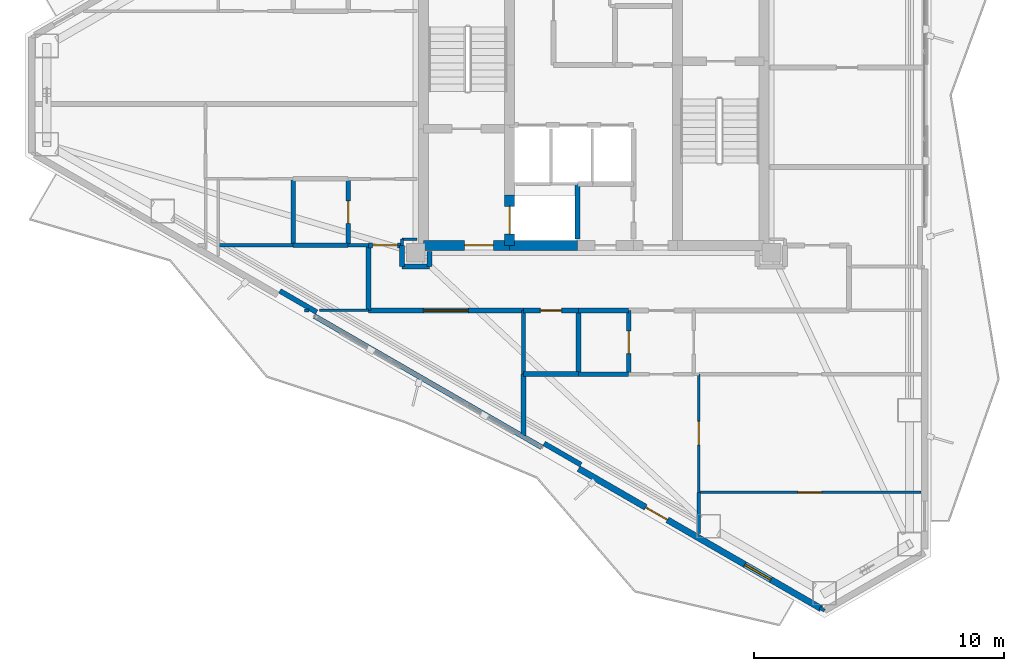
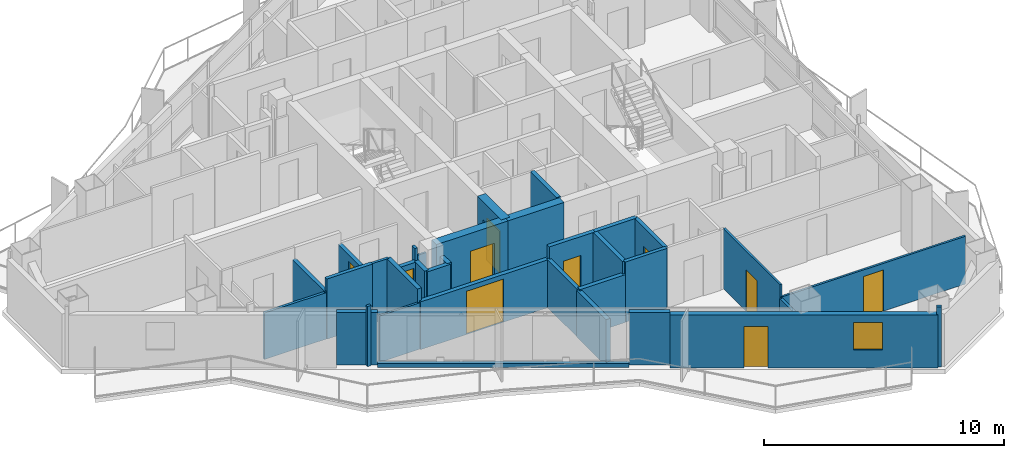
# One storey, part 12 of 19: 35 walls, 10 doors, 1 window, 11 openings.
"""IFC4 building model written with IfcOpenShell, lengths in metres."""

from ifc_helpers import new_model, si_unit, direction, frame, frame_2d, origin, place, context, subcontext, project, spatial, rectangle, extrude, material, layer, layer_set, type_object, element, fill, save


model = new_model("IFC4")

# Units and contexts
model_context = context("Model", 3, precision=1e-05, world=origin(), true_north=direction((0.0, 1.0)))
body_context = subcontext(model_context, "Body", "Model", "MODEL_VIEW")
ifc_project = project(units=[si_unit("LENGTHUNIT", "METRE"), si_unit("AREAUNIT", "SQUARE_METRE"), si_unit("VOLUMEUNIT", "CUBIC_METRE"), si_unit("PLANEANGLEUNIT", "RADIAN"), si_unit("MASSUNIT", "GRAM", prefix="KILO")], contexts=[model_context])

# Site, building, storey
site_placement = place(None, origin())
site = spatial("IfcSite", under=ifc_project, at=site_placement, CompositionType="ELEMENT")
building_placement = place(site_placement, origin())
building = spatial("IfcBuilding", under=site, at=building_placement, Name="Mersakhor Tower and Convention Hall", CompositionType="ELEMENT")
storey_placement = place(building_placement, frame((0.0, 0.0, 124.5)))
storey = spatial("IfcBuildingStorey", under=building, at=storey_placement, Name="L34", CompositionType="ELEMENT", Elevation=124.5)

# Wall, openings, door, window
ifc_material_1 = material(Name="Precast concrete C40/50", Category="concrete")
ifc_layer_1 = layer(ifc_material_1, 0.25)
ifc_layer_set_1 = layer_set([ifc_layer_1], Name="Precast concrete C40/50")
wall_type_1 = type_object("IfcWallType", Name="WL-EXT-250", PredefinedType="SOLIDWALL", material=ifc_layer_set_1)
wall_1_placement = place(storey_placement, frame((38.090576171875, 6.2373046875, 0.0), z_axis=(0.0, 0.0, 1.0), x_axis=(-0.86602239209, 0.500005216371, 0.0)))
wall_1 = element("IfcWall", 1, at=wall_1_placement, inside=storey, type_object=wall_type_1, Name="L34 Exterior Facade Wall F3-B1", PredefinedType="SOLIDWALL", context=body_context, shape_type="SweptSolid", body=[
    extrude(rectangle(XDim=11.18603515625, YDim=0.25, at=frame_2d((5.593017578125, 0.0))), origin(), (0.0, 0.0, 1.0), 2.679931640625),
])
opening_1_placement = place(wall_1_placement, frame((7.094970703125, 0.0, 0.0)))
opening_1 = element("IfcOpeningElement", 2, at=opening_1_placement, cuts=wall_1, Name="Opening BD-01", PredefinedType="OPENING", context=body_context, shape_type="SweptSolid", body=[
    extrude(rectangle(XDim=1.0, YDim=2.10009765625, at=frame_2d((0.5, 1.050048828125))), frame((0.0, 0.135009765625, 0.0), z_axis=(0.0, -1.0, 0.0), x_axis=(1.0, 0.0, 0.0)), (0.0, 0.0, 1.0), 0.27001953125),
])
opening_2_placement = place(wall_1_placement, frame((2.322021484375, 0.0, 0.89990234375)))
opening_2 = element("IfcOpeningElement", 3, at=opening_2_placement, cuts=wall_1, Name="Opening W-01", PredefinedType="OPENING", context=body_context, shape_type="SweptSolid", body=[
    extrude(rectangle(XDim=1.199951171875, YDim=1.39990234375, at=frame_2d((0.60009765625, 0.699951171875))), frame((0.0, 0.135009765625, 0.0), z_axis=(0.0, -1.0, 0.0), x_axis=(1.0, 0.0, 0.0)), (0.0, 0.0, 1.0), 0.27001953125),
])
ifc_material_2 = material(Name="Thermally broken dark aluminium and safety glass", Category="aluminium")
door_type_1 = type_object("IfcDoorType", Name="DR-BAL-100x210", OperationType="NOTDEFINED", PredefinedType="DOOR", material=ifc_material_2)
door_1_placement = place(opening_1_placement, origin())
door_1 = element("IfcDoor", 4, at=door_1_placement, inside=storey, type_object=door_type_1, Name="L34 Balcony Terrace Door F3-B1", OperationType="SINGLE_SWING_LEFT", OverallHeight=2.10009765625, OverallWidth=1.0, PredefinedType="DOOR", context=body_context, shape_type="SweptSolid", body=[
    extrude(rectangle(XDim=1.0, YDim=2.10009765625, at=frame_2d((0.5, 1.050048828125))), frame((0.0, 0.02490234375, 0.0), z_axis=(0.0, -1.0, 0.0), x_axis=(1.0, 0.0, 0.0)), (0.0, 0.0, 1.0), 0.050048828125),
])
fill(opening_1, door_1)
ifc_material_3 = material(Name="Dark solar low-E glazed aluminium window", Category="aluminium")
window_type = type_object("IfcWindowType", Name="WN-RES-120x150", PartitioningType="SINGLE_PANEL", PredefinedType="WINDOW", material=ifc_material_3)
window_placement = place(opening_2_placement, origin())
window = element("IfcWindow", 5, at=window_placement, inside=storey, type_object=window_type, Name="L34 Bedroom Facade Window F3-B1-1", OverallHeight=1.39990234375, OverallWidth=1.199951171875, PartitioningType="SINGLE_PANEL", PredefinedType="WINDOW", context=body_context, shape_type="SweptSolid", body=[
    extrude(rectangle(XDim=1.199951171875, YDim=1.39990234375, at=frame_2d((0.60009765625, 0.699951171875))), frame((0.0, 0.030029296875, 0.0), z_axis=(0.0, -1.0, 0.0), x_axis=(1.0, 0.0, 0.0)), (0.0, 0.0, 1.0), 0.06005859375),
])
fill(opening_2, window)

# Walls
ifc_material_4 = material(Name="Precast concrete C40/50", Category="concrete")
ifc_layer_2 = layer(ifc_material_4, 0.199951171875)
ifc_layer_set_2 = layer_set([ifc_layer_2], Name="Precast concrete C40/50")
wall_type_2 = type_object("IfcWallType", Name="WL-PAR-200", PredefinedType="PARAPET", material=ifc_layer_set_2)
wall_2_placement = place(storey_placement, frame((26.930908203125, 12.680419921875, 0.0), z_axis=(0.0, 0.0, 1.0), x_axis=(-0.866026619769, 0.499997893847, 0.0)))
element("IfcWall", 6, at=wall_2_placement, inside=storey, type_object=wall_type_2, Name="L34 Curtain Wall Upstand Sill F3-B2", PredefinedType="PARAPET", context=body_context, shape_type="SweptSolid", body=[
    extrude(rectangle(XDim=10.48583984375, YDim=0.199951171875, at=frame_2d((5.242919921875, 0.0))), origin(), (0.0, 0.0, 1.0), 0.199951171875),
])
for number, where, z_axis, x_axis, name in (
    (7, (28.4931640625, 11.986328125, 0.0), (0.0, 0.0, 1.0), (-0.86605165483, 0.499954529098, 0.0), "L34 Column Pier Cladding Wall F3-C1"),
    (8, (17.939697265625, 18.0791015625, 0.0), (0.0, 0.0, 1.0), (-0.865989465428, 0.500062241894, 0.0), "L34 Column Pier Cladding Wall F3-C2"),
):
    element("IfcWall", number, at=place(storey_placement, frame(where, z_axis=z_axis, x_axis=x_axis)), inside=storey, type_object=wall_type_2, Name=name, PredefinedType="PARAPET", context=body_context, shape_type="SweptSolid", body=[
        extrude(rectangle(XDim=1.699951171875, YDim=0.199951171875, at=frame_2d((0.85009765625, 0.0))), origin(), (0.0, 0.0, 1.0), 2.679931640625),
    ])

# Wall, opening, door
ifc_material_5 = material(Name="Moisture-resistant acoustic drywall studwork", Category="other")
ifc_layer_3 = layer(ifc_material_5, 0.175048828125)
ifc_layer_set_3 = layer_set([ifc_layer_3], Name="Moisture-resistant acoustic drywall studwork")
wall_type_3 = type_object("IfcWallType", Name="WL-PLM-175", PredefinedType="PLUMBINGWALL", material=ifc_layer_set_3)
wall_3_placement = place(storey_placement, frame((30.39990234375, 15.60009765625, 0.0), z_axis=(0.0, 0.0, 1.0), x_axis=(0.0, 1.0, 0.0)))
wall_3 = element("IfcWall", 9, at=wall_3_placement, inside=storey, type_object=wall_type_3, Name="L34 Interior Partition Wall P-054", PredefinedType="PLUMBINGWALL", context=body_context, shape_type="SweptSolid", body=[
    extrude(rectangle(XDim=2.5498046875, YDim=0.175048828125, at=frame_2d((1.27490234375, 0.0))), origin(), (0.0, 0.0, 1.0), 3.06005859375),
])
opening_3_placement = place(wall_3_placement, frame((0.824951171875, 0.0, 0.0)))
opening_3 = element("IfcOpeningElement", 10, at=opening_3_placement, cuts=wall_3, Name="Opening WD-01", PredefinedType="OPENING", context=body_context, shape_type="SweptSolid", body=[
    extrude(rectangle(XDim=0.89990234375, YDim=2.10009765625, at=frame_2d((0.449951171875, 1.050048828125))), frame((0.0, 0.097412109375, 0.0), z_axis=(0.0, -1.0, 0.0), x_axis=(1.0, 0.0, 0.0)), (0.0, 0.0, 1.0), 0.195068359375),
])
ifc_material_6 = material(Name="Solid-core hardwood leaf in painted steel frame", Category="steel")
door_type_2 = type_object("IfcDoorType", Name="DR-INT-WET-090x210", OperationType="NOTDEFINED", PredefinedType="DOOR", material=ifc_material_6)
door_2_placement = place(opening_3_placement, origin())
door_2 = element("IfcDoor", 11, at=door_2_placement, inside=storey, type_object=door_type_2, Name="L34 L34 Flat S2 Apartment Hall to L34 Flat S2 Bathroom Door", OperationType="SINGLE_SWING_LEFT", OverallHeight=2.10009765625, OverallWidth=0.89990234375, PredefinedType="DOOR", context=body_context, shape_type="SweptSolid", body=[
    extrude(rectangle(XDim=0.89990234375, YDim=2.10009765625, at=frame_2d((0.449951171875, 1.050048828125))), frame((0.0, 0.02490234375, 0.0), z_axis=(0.0, -1.0, 0.0), x_axis=(1.0, 0.0, 0.0)), (0.0, 0.0, 1.0), 0.050048828125),
])
fill(opening_3, door_2)

wall_4_placement = place(storey_placement, frame((19.199951171875, 20.75, 0.0), z_axis=(0.0, 0.0, 1.0), x_axis=(0.0, 1.0, 0.0)))
wall_4 = element("IfcWall", 12, at=wall_4_placement, inside=storey, type_object=wall_type_3, Name="L34 Interior Partition Wall P-062", PredefinedType="PLUMBINGWALL", context=body_context, shape_type="SweptSolid", body=[
    extrude(rectangle(XDim=2.64990234375, YDim=0.175048828125, at=frame_2d((1.324951171875, 0.0))), origin(), (0.0, 0.0, 1.0), 2.432861328125),
])
opening_4_placement = place(wall_4_placement, frame((0.875, 0.0, 0.0)))
opening_4 = element("IfcOpeningElement", 13, at=opening_4_placement, cuts=wall_4, Name="Opening WD-01", PredefinedType="OPENING", context=body_context, shape_type="SweptSolid", body=[
    extrude(rectangle(XDim=0.89990234375, YDim=2.10009765625, at=frame_2d((0.449951171875, 1.050048828125))), frame((0.0, 0.097412109375, 0.0), z_axis=(0.0, -1.0, 0.0), x_axis=(1.0, 0.0, 0.0)), (0.0, 0.0, 1.0), 0.195068359375),
])
door_3_placement = place(opening_4_placement, origin())
door_3 = element("IfcDoor", 14, at=door_3_placement, inside=storey, type_object=door_type_2, Name="L34 L34 Flat W4 Apartment Hall to L34 Flat W4 Bathroom Door", OperationType="SINGLE_SWING_RIGHT", OverallHeight=2.10009765625, OverallWidth=0.89990234375, PredefinedType="DOOR", context=body_context, shape_type="SweptSolid", body=[
    extrude(rectangle(XDim=0.89990234375, YDim=2.10009765625, at=frame_2d((0.449951171875, 1.050048828125))), frame((0.0, 0.02490234375, 0.0), z_axis=(0.0, -1.0, 0.0), x_axis=(1.0, 0.0, 0.0)), (0.0, 0.0, 1.0), 0.050048828125),
])
fill(opening_4, door_3)

# Walls
wall_5_placement = place(storey_placement, frame((26.199951171875, 15.60009765625, 0.0), z_axis=(0.0, 0.0, 1.0), x_axis=(0.0, 1.0, 0.0)))
element("IfcWall", 15, at=wall_5_placement, inside=storey, type_object=wall_type_3, Name="L34 Interior Partition Wall P-070", PredefinedType="PLUMBINGWALL", context=body_context, shape_type="SweptSolid", body=[
    extrude(rectangle(XDim=2.5498046875, YDim=0.175048828125, at=frame_2d((1.27490234375, 0.0))), origin(), (0.0, 0.0, 1.0), 2.432861328125),
])
wall_6_placement = place(storey_placement, frame((30.39990234375, 15.60009765625, 0.0), z_axis=(0.0, 0.0, 1.0), x_axis=(-1.0, 0.0, 0.0)))
element("IfcWall", 16, at=wall_6_placement, inside=storey, type_object=wall_type_3, Name="L34 Interior Partition Wall P-075", PredefinedType="PLUMBINGWALL", context=body_context, shape_type="SweptSolid", body=[
    extrude(rectangle(XDim=2.0, YDim=0.175048828125, at=frame_2d((1.0, 0.0))), origin(), (0.0, 0.0, 1.0), 3.06005859375),
])
wall_7_placement = place(storey_placement, frame((19.199951171875, 20.75, 0.0), z_axis=(0.0, 0.0, 1.0), x_axis=(-1.0, 0.0, 0.0)))
element("IfcWall", 17, at=wall_7_placement, inside=storey, type_object=wall_type_3, Name="L34 Interior Partition Wall P-086", PredefinedType="PLUMBINGWALL", context=body_context, shape_type="SweptSolid", body=[
    extrude(rectangle(XDim=2.199951171875, YDim=0.175048828125, at=frame_2d((1.10009765625, 0.0))), origin(), (0.0, 0.0, 1.0), 3.06005859375),
])
wall_8_placement = place(storey_placement, frame((17.0, 20.75, 0.0), z_axis=(0.0, 0.0, 1.0), x_axis=(0.0, 1.0, 0.0)))
element("IfcWall", 18, at=wall_8_placement, inside=storey, type_object=wall_type_3, Name="L34 Interior Partition Wall P-087", PredefinedType="PLUMBINGWALL", context=body_context, shape_type="SweptSolid", body=[
    extrude(rectangle(XDim=2.64990234375, YDim=0.175048828125, at=frame_2d((1.324951171875, 0.0))), origin(), (0.0, 0.0, 1.0), 2.432861328125),
])
ifc_material_7 = material(Name="Lightweight gypsum partition", Category="other")
ifc_layer_4 = layer(ifc_material_7, 0.10009765625)
ifc_layer_set_4 = layer_set([ifc_layer_4], Name="Lightweight gypsum partition")
wall_type_4 = type_object("IfcWallType", Name="WL-PRT-100", PredefinedType="PARTITIONING", material=ifc_layer_set_4)
wall_9_placement = place(storey_placement, frame((21.949951171875, 21.0, 0.0), z_axis=(0.0, 0.0, 1.0), x_axis=(-1.0, 0.0, 0.0)))
element("IfcWall", 19, at=wall_9_placement, inside=storey, type_object=wall_type_4, Name="L34 Interior Partition Wall P-064", PredefinedType="PARTITIONING", context=body_context, shape_type="SweptSolid", body=[
    extrude(rectangle(XDim=0.599853515625, YDim=0.10009765625, at=frame_2d((0.2998046875, 0.0))), origin(), (0.0, 0.0, 1.0), 2.50830078125),
])
wall_10_placement = place(storey_placement, frame((18.04248046875, 18.14990234375, 0.0), z_axis=(0.0, 0.0, 1.0), x_axis=(1.0, 0.0, 0.0)))
element("IfcWall", 20, at=wall_10_placement, inside=storey, type_object=wall_type_4, Name="L34 Interior Partition Wall P-096", PredefinedType="PARTITIONING", context=body_context, shape_type="SweptSolid", body=[
    extrude(rectangle(XDim=1.95751953125, YDim=0.10009765625, at=frame_2d((0.978759765625, 0.0))), origin(), (0.0, 0.0, 1.0), 2.364990234375),
])

# Wall, opening, door
wall_11_placement = place(storey_placement, frame((33.199951171875, 15.60009765625, 0.0), z_axis=(0.0, 0.0, 1.0), x_axis=(0.0, -1.0, 0.0)))
wall_11 = element("IfcWall", 21, at=wall_11_placement, inside=storey, type_object=wall_type_4, Name="L34 Interior Partition Wall P-116", PredefinedType="PARTITIONING", context=body_context, shape_type="SweptSolid", body=[
    extrude(rectangle(XDim=4.72021484375, YDim=0.10009765625, at=frame_2d((2.360107421875, 0.0))), origin(), (0.0, 0.0, 1.0), 3.06005859375),
])
opening_5_placement = place(wall_11_placement, frame((1.885009765625, 0.0, 0.0)))
opening_5 = element("IfcOpeningElement", 22, at=opening_5_placement, cuts=wall_11, Name="Opening RD-01", PredefinedType="OPENING", context=body_context, shape_type="SweptSolid", body=[
    extrude(rectangle(XDim=0.949951171875, YDim=2.10009765625, at=frame_2d((0.47509765625, 1.050048828125))), frame((0.0, 0.06005859375, 0.0), z_axis=(0.0, -1.0, 0.0), x_axis=(1.0, 0.0, 0.0)), (0.0, 0.0, 1.0), 0.1201171875),
])
ifc_material_8 = material(Name="Solid-core hardwood leaf in painted steel frame", Category="steel")
door_type_3 = type_object("IfcDoorType", Name="DR-INT-RM-095x210", OperationType="NOTDEFINED", PredefinedType="DOOR", material=ifc_material_8)
door_4_placement = place(opening_5_placement, origin())
door_4 = element("IfcDoor", 23, at=door_4_placement, inside=storey, type_object=door_type_3, Name="L34 L34 Flat S2 Living and Dining Room to L34 Flat S2 Dining Room Door", OperationType="SINGLE_SWING_LEFT", OverallHeight=2.10009765625, OverallWidth=0.949951171875, PredefinedType="DOOR", context=body_context, shape_type="SweptSolid", body=[
    extrude(rectangle(XDim=0.949951171875, YDim=2.10009765625, at=frame_2d((0.47509765625, 1.050048828125))), frame((0.0, 0.02490234375, 0.0), z_axis=(0.0, -1.0, 0.0), x_axis=(1.0, 0.0, 0.0)), (0.0, 0.0, 1.0), 0.050048828125),
])
fill(opening_5, door_4)

wall_12_placement = place(storey_placement, frame((33.199951171875, 10.8798828125, 0.0), z_axis=(0.0, 0.0, 1.0), x_axis=(1.0, 0.0, 0.0)))
wall_12 = element("IfcWall", 24, at=wall_12_placement, inside=storey, type_object=wall_type_4, Name="L34 Interior Partition Wall P-118", PredefinedType="PARTITIONING", context=body_context, shape_type="SweptSolid", body=[
    extrude(rectangle(XDim=8.870361328125, YDim=0.10009765625, at=frame_2d((4.43505859375, 0.0))), origin(), (0.0, 0.0, 1.0), 2.432861328125),
])
opening_6_placement = place(wall_12_placement, frame((3.960205078125, 0.0, 0.0)))
opening_6 = element("IfcOpeningElement", 25, at=opening_6_placement, cuts=wall_12, Name="Opening RD-01", PredefinedType="OPENING", context=body_context, shape_type="SweptSolid", body=[
    extrude(rectangle(XDim=0.949951171875, YDim=2.10009765625, at=frame_2d((0.47509765625, 1.050048828125))), frame((0.0, 0.06005859375, 0.0), z_axis=(0.0, -1.0, 0.0), x_axis=(1.0, 0.0, 0.0)), (0.0, 0.0, 1.0), 0.1201171875),
])
door_5_placement = place(opening_6_placement, origin())
door_5 = element("IfcDoor", 26, at=door_5_placement, inside=storey, type_object=door_type_3, Name="L34 L34 Flat S2 Bedroom 1 to L34 Flat S2 Dining Room Door", OperationType="SINGLE_SWING_RIGHT", OverallHeight=2.10009765625, OverallWidth=0.949951171875, PredefinedType="DOOR", context=body_context, shape_type="SweptSolid", body=[
    extrude(rectangle(XDim=0.949951171875, YDim=2.10009765625, at=frame_2d((0.47509765625, 1.050048828125))), frame((0.0, 0.02490234375, 0.0), z_axis=(0.0, -1.0, 0.0), x_axis=(1.0, 0.0, 0.0)), (0.0, 0.0, 1.0), 0.050048828125),
])
fill(opening_6, door_5)

# Walls
ifc_material_9 = material(Name="Gypsum board acoustic partition", Category="other")
ifc_layer_5 = layer(ifc_material_9, 0.125)
ifc_layer_set_5 = layer_set([ifc_layer_5], Name="Gypsum board acoustic partition")
wall_type_5 = type_object("IfcWallType", Name="WL-PRT-125", PredefinedType="PARTITIONING", material=ifc_layer_set_5)
wall_13_placement = place(storey_placement, frame((20.0, 20.75, 0.0), z_axis=(0.0, 0.0, 1.0), x_axis=(-1.0, 0.0, 0.0)))
element("IfcWall", 27, at=wall_13_placement, inside=storey, type_object=wall_type_5, Name="L34 Interior Partition Wall P-061", PredefinedType="PARTITIONING", context=body_context, shape_type="SweptSolid", body=[
    extrude(rectangle(XDim=0.800048828125, YDim=0.125, at=frame_2d((0.39990234375, 0.0))), origin(), (0.0, 0.0, 1.0), 3.06005859375),
])
wall_14_placement = place(storey_placement, frame((21.35009765625, 21.0, 0.0), z_axis=(0.0, 0.0, 1.0), x_axis=(0.0, -1.0, 0.0)))
element("IfcWall", 28, at=wall_14_placement, inside=storey, type_object=wall_type_5, Name="L34 Interior Partition Wall P-065", PredefinedType="PARTITIONING", context=body_context, shape_type="SweptSolid", body=[
    extrude(rectangle(XDim=0.25, YDim=0.125, at=frame_2d((0.125, 0.0))), origin(), (0.0, 0.0, 1.0), 3.06005859375),
])
wall_15_placement = place(storey_placement, frame((17.0, 20.75, 0.0), z_axis=(0.0, 0.0, 1.0), x_axis=(-1.0, 0.0, 0.0)))
element("IfcWall", 29, at=wall_15_placement, inside=storey, type_object=wall_type_5, Name="L34 Interior Partition Wall P-089", PredefinedType="PARTITIONING", context=body_context, shape_type="SweptSolid", body=[
    extrude(rectangle(XDim=3.0, YDim=0.125, at=frame_2d((1.5, 0.0))), origin(), (0.0, 0.0, 1.0), 2.364990234375),
])
wall_16_placement = place(storey_placement, frame((17.45703125, 18.14990234375, 0.0), z_axis=(0.0, 0.0, 1.0), x_axis=(1.0, 0.0, 0.0)))
element("IfcWall", 30, at=wall_16_placement, inside=storey, type_object=wall_type_5, Name="L34 Interior Partition Wall P-095", PredefinedType="PARTITIONING", context=body_context, shape_type="SweptSolid", body=[
    extrude(rectangle(XDim=0.18505859375, YDim=0.125, at=frame_2d((0.092529296875, 0.0))), origin(), (0.0, 0.0, 1.0), 3.06005859375),
])
wall_17_placement = place(storey_placement, frame((33.199951171875, 10.8798828125, 0.0), z_axis=(0.0, 0.0, 1.0), x_axis=(0.0, -1.0, 0.0)))
element("IfcWall", 31, at=wall_17_placement, inside=storey, type_object=wall_type_5, Name="L34 Interior Partition Wall P-117", PredefinedType="PARTITIONING", context=body_context, shape_type="SweptSolid", body=[
    extrude(rectangle(XDim=1.64697265625, YDim=0.125, at=frame_2d((0.823486328125, 0.0))), origin(), (0.0, 0.0, 1.0), 2.364990234375),
])
wall_18_placement = place(storey_placement, frame((38.220703125, 6.162109375, 0.0), z_axis=(0.0, 0.0, 1.0), x_axis=(-0.865581379588, 0.500768285049, 0.0)))
element("IfcWall", 32, at=wall_18_placement, inside=storey, type_object=wall_type_5, Name="L34 Interior Partition Wall P-119", PredefinedType="PARTITIONING", context=body_context, shape_type="SweptSolid", body=[
    extrude(rectangle(XDim=0.215576171875, YDim=0.125, at=frame_2d((0.10791015625, 0.0))), origin(), (0.0, 0.0, 1.0), 3.06005859375),
])
ifc_material_10 = material(Name="Acoustic concrete blockwork and gypsum board", Category="masonry")
ifc_layer_6 = layer(ifc_material_10, 0.199951171875)
ifc_layer_set_6 = layer_set([ifc_layer_6], Name="Acoustic concrete blockwork and gypsum board")
wall_type_6 = type_object("IfcWallType", Name="WL-PRT-200", PredefinedType="PARTITIONING", material=ifc_layer_set_6)
wall_19_placement = place(storey_placement, frame((28.35009765625, 23.199951171875, 0.0), z_axis=(0.0, 0.0, 1.0), x_axis=(0.0, -1.0, 0.0)))
element("IfcWall", 33, at=wall_19_placement, inside=storey, type_object=wall_type_6, Name="L34 Interior Partition Wall P-003", PredefinedType="PARTITIONING", context=body_context, shape_type="SweptSolid", body=[
    extrude(rectangle(XDim=2.199951171875, YDim=0.199951171875, at=frame_2d((1.10009765625, 0.0))), origin(), (0.0, 0.0, 1.0), 3.06005859375),
])
wall_20_placement = place(storey_placement, frame((22.449951171875, 19.89990234375, 0.0), z_axis=(0.0, 0.0, 1.0), x_axis=(0.0, 1.0, 0.0)))
element("IfcWall", 34, at=wall_20_placement, inside=storey, type_object=wall_type_6, Name="L34 Interior Partition Wall P-033", PredefinedType="PARTITIONING", context=body_context, shape_type="SweptSolid", body=[
    extrude(rectangle(XDim=0.60009765625, YDim=0.199951171875, at=frame_2d((0.300048828125, 0.0))), origin(), (0.0, 0.0, 1.0), 2.432861328125),
])
wall_21_placement = place(storey_placement, frame((30.39990234375, 18.14990234375, 0.0), z_axis=(0.0, 0.0, 1.0), x_axis=(-1.0, 0.0, 0.0)))
element("IfcWall", 35, at=wall_21_placement, inside=storey, type_object=wall_type_6, Name="L34 Interior Partition Wall P-042", PredefinedType="PARTITIONING", context=body_context, shape_type="SweptSolid", body=[
    extrude(rectangle(XDim=2.0, YDim=0.199951171875, at=frame_2d((1.0, 0.0))), origin(), (0.0, 0.0, 1.0), 3.06005859375),
])

# Wall, opening, door
wall_22_placement = place(storey_placement, frame((28.39990234375, 18.14990234375, 0.0), z_axis=(0.0, 0.0, 1.0), x_axis=(-1.0, 0.0, 0.0)))
wall_22 = element("IfcWall", 36, at=wall_22_placement, inside=storey, type_object=wall_type_6, Name="L34 Interior Partition Wall P-043", PredefinedType="PARTITIONING", context=body_context, shape_type="SweptSolid", body=[
    extrude(rectangle(XDim=2.199951171875, YDim=0.199951171875, at=frame_2d((1.10009765625, 0.0))), origin(), (0.0, 0.0, 1.0), 3.06005859375),
])
opening_7_placement = place(wall_22_placement, frame((0.675048828125, 0.0, 0.0)))
opening_7 = element("IfcOpeningElement", 37, at=opening_7_placement, cuts=wall_22, Name="Opening SVD-01", PredefinedType="OPENING", context=body_context, shape_type="SweptSolid", body=[
    extrude(rectangle(XDim=0.85009765625, YDim=2.10009765625, at=frame_2d((0.425048828125, 1.050048828125))), frame((0.0, 0.10986328125, 0.0), z_axis=(0.0, -1.0, 0.0), x_axis=(1.0, 0.0, 0.0)), (0.0, 0.0, 1.0), 0.219970703125),
])
ifc_material_11 = material(Name="Fire-rated hardwood leaf and painted steel frame", Category="steel")
door_type_4 = type_object("IfcDoorType", Name="DR-INT-SVC-085x210", OperationType="NOTDEFINED", PredefinedType="DOOR", material=ifc_material_11)
door_6_placement = place(opening_7_placement, origin())
door_6 = element("IfcDoor", 38, at=door_6_placement, inside=storey, type_object=door_type_4, Name="L34 Residential South Gallery Corridor to L34 South Wing Public Toilet WC Door", OperationType="SINGLE_SWING_RIGHT", OverallHeight=2.10009765625, OverallWidth=0.85009765625, PredefinedType="DOOR", context=body_context, shape_type="SweptSolid", body=[
    extrude(rectangle(XDim=0.85009765625, YDim=2.10009765625, at=frame_2d((0.425048828125, 1.050048828125))), frame((0.0, 0.02490234375, 0.0), z_axis=(0.0, -1.0, 0.0), x_axis=(1.0, 0.0, 0.0)), (0.0, 0.0, 1.0), 0.050048828125),
])
fill(opening_7, door_6)

wall_23_placement = place(storey_placement, frame((26.199951171875, 18.14990234375, 0.0), z_axis=(0.0, 0.0, 1.0), x_axis=(-1.0, 0.0, 0.0)))
wall_23 = element("IfcWall", 39, at=wall_23_placement, inside=storey, type_object=wall_type_6, Name="L34 Interior Partition Wall P-044", PredefinedType="PARTITIONING", context=body_context, shape_type="SweptSolid", body=[
    extrude(rectangle(XDim=6.199951171875, YDim=0.199951171875, at=frame_2d((3.10009765625, 0.0))), origin(), (0.0, 0.0, 1.0), 2.432861328125),
])
opening_8_placement = place(wall_23_placement, frame((2.199951171875, 0.0, 0.0)))
opening_8 = element("IfcOpeningElement", 40, at=opening_8_placement, cuts=wall_23, Name="Opening HD-01", PredefinedType="OPENING", context=body_context, shape_type="SweptSolid", body=[
    extrude(rectangle(XDim=1.800048828125, YDim=2.199951171875, at=frame_2d((0.89990234375, 1.10009765625))), frame((0.0, 0.10986328125, 0.0), z_axis=(0.0, -1.0, 0.0), x_axis=(1.0, 0.0, 0.0)), (0.0, 0.0, 1.0), 0.219970703125),
])
ifc_material_12 = material(Name="Fire-rated hardwood leaf and painted steel frame", Category="steel")
door_type_5 = type_object("IfcDoorType", Name="DR-INT-HALL-180x220", OperationType="NOTDEFINED", PredefinedType="DOOR", material=ifc_material_12)
door_7_placement = place(opening_8_placement, origin())
door_7 = element("IfcDoor", 41, at=door_7_placement, inside=storey, type_object=door_type_5, Name="L34 Residential South Gallery Corridor to L34 South Wing Residents Reading Library Door", OperationType="DOUBLE_DOOR_SINGLE_SWING", OverallHeight=2.199951171875, OverallWidth=1.800048828125, PredefinedType="DOOR", context=body_context, shape_type="SweptSolid", body=[
    extrude(rectangle(XDim=1.800048828125, YDim=2.199951171875, at=frame_2d((0.89990234375, 1.10009765625))), frame((0.0, 0.02490234375, 0.0), z_axis=(0.0, -1.0, 0.0), x_axis=(1.0, 0.0, 0.0)), (0.0, 0.0, 1.0), 0.050048828125),
])
fill(opening_8, door_7)

# Wall
wall_24_placement = place(storey_placement, frame((20.0, 18.14990234375, 0.0), z_axis=(0.0, 0.0, 1.0), x_axis=(0.0, 1.0, 0.0)))
element("IfcWall", 42, at=wall_24_placement, inside=storey, type_object=wall_type_6, Name="L34 Interior Partition Wall P-045", PredefinedType="PARTITIONING", context=body_context, shape_type="SweptSolid", body=[
    extrude(rectangle(XDim=2.60009765625, YDim=0.199951171875, at=frame_2d((1.300048828125, 0.0))), origin(), (0.0, 0.0, 1.0), 3.06005859375),
])

# Wall, opening, door
wall_25_placement = place(storey_placement, frame((20.0, 20.75, 0.0), z_axis=(0.0, 0.0, 1.0), x_axis=(1.0, 0.0, 0.0)))
wall_25 = element("IfcWall", 43, at=wall_25_placement, inside=storey, type_object=wall_type_6, Name="L34 Interior Partition Wall P-046", PredefinedType="PARTITIONING", context=body_context, shape_type="SweptSolid", body=[
    extrude(rectangle(XDim=1.35009765625, YDim=0.199951171875, at=frame_2d((0.675048828125, 0.0))), origin(), (0.0, 0.0, 1.0), 2.432861328125),
])
opening_9_placement = place(wall_25_placement, frame((0.175048828125, 0.0, 0.0)))
opening_9 = element("IfcOpeningElement", 44, at=opening_9_placement, cuts=wall_25, Name="Opening FD-01", PredefinedType="OPENING", context=body_context, shape_type="SweptSolid", body=[
    extrude(rectangle(XDim=1.0, YDim=2.14990234375, at=frame_2d((0.5, 1.074951171875))), frame((0.0, 0.10986328125, 0.0), z_axis=(0.0, -1.0, 0.0), x_axis=(1.0, 0.0, 0.0)), (0.0, 0.0, 1.0), 0.219970703125),
])
ifc_material_13 = material(Name="Fire-rated hardwood leaf and painted steel frame", Category="steel")
door_type_6 = type_object("IfcDoorType", Name="DR-INT-FLT-100x215", OperationType="NOTDEFINED", PredefinedType="DOOR", material=ifc_material_13)
door_8_placement = place(opening_9_placement, origin())
door_8 = element("IfcDoor", 45, at=door_8_placement, inside=storey, type_object=door_type_6, Name="L34 Apartment Entrance Door (Residential South Gallery Corridor to L34 Flat W4 Apartment Hall)", OperationType="SINGLE_SWING_LEFT", OverallHeight=2.14990234375, OverallWidth=1.0, PredefinedType="DOOR", context=body_context, shape_type="SweptSolid", body=[
    extrude(rectangle(XDim=1.0, YDim=2.14990234375, at=frame_2d((0.5, 1.074951171875))), frame((0.0, 0.02490234375, 0.0), z_axis=(0.0, -1.0, 0.0), x_axis=(1.0, 0.0, 0.0)), (0.0, 0.0, 1.0), 0.050048828125),
])
fill(opening_9, door_8)

# Walls
wall_26_placement = place(storey_placement, frame((21.35009765625, 20.75, 0.0), z_axis=(0.0, 0.0, 1.0), x_axis=(0.0, -1.0, 0.0)))
element("IfcWall", 46, at=wall_26_placement, inside=storey, type_object=wall_type_6, Name="L34 Interior Partition Wall P-047", PredefinedType="PARTITIONING", context=body_context, shape_type="SweptSolid", body=[
    extrude(rectangle(XDim=0.85009765625, YDim=0.199951171875, at=frame_2d((0.425048828125, 0.0))), origin(), (0.0, 0.0, 1.0), 2.432861328125),
])
wall_27_placement = place(storey_placement, frame((21.35009765625, 19.89990234375, 0.0), z_axis=(0.0, 0.0, 1.0), x_axis=(1.0, 0.0, 0.0)))
element("IfcWall", 47, at=wall_27_placement, inside=storey, type_object=wall_type_6, Name="L34 Interior Partition Wall P-048", PredefinedType="PARTITIONING", context=body_context, shape_type="SweptSolid", body=[
    extrude(rectangle(XDim=1.099853515625, YDim=0.199951171875, at=frame_2d((0.5498046875, 0.0))), origin(), (0.0, 0.0, 1.0), 2.432861328125),
])
wall_28_placement = place(storey_placement, frame((28.39990234375, 15.60009765625, 0.0), z_axis=(0.0, 0.0, 1.0), x_axis=(-1.0, 0.0, 0.0)))
element("IfcWall", 48, at=wall_28_placement, inside=storey, type_object=wall_type_6, Name="L34 Interior Partition Wall P-069", PredefinedType="PARTITIONING", context=body_context, shape_type="SweptSolid", body=[
    extrude(rectangle(XDim=2.199951171875, YDim=0.199951171875, at=frame_2d((1.10009765625, 0.0))), origin(), (0.0, 0.0, 1.0), 2.432861328125),
])
wall_29_placement = place(storey_placement, frame((28.39990234375, 18.14990234375, 0.0), z_axis=(0.0, 0.0, 1.0), x_axis=(0.0, -1.0, 0.0)))
element("IfcWall", 49, at=wall_29_placement, inside=storey, type_object=wall_type_6, Name="L34 Interior Partition Wall P-071", PredefinedType="PARTITIONING", context=body_context, shape_type="SweptSolid", body=[
    extrude(rectangle(XDim=2.5498046875, YDim=0.199951171875, at=frame_2d((1.27490234375, 0.0))), origin(), (0.0, 0.0, 1.0), 3.06005859375),
])
wall_30_placement = place(storey_placement, frame((26.199951171875, 15.60009765625, 0.0), z_axis=(0.0, 0.0, 1.0), x_axis=(0.0, -1.0, 0.0)))
element("IfcWall", 50, at=wall_30_placement, inside=storey, type_object=wall_type_6, Name="L34 Interior Partition Wall P-097", PredefinedType="PARTITIONING", context=body_context, shape_type="SweptSolid", body=[
    extrude(rectangle(XDim=2.453857421875, YDim=0.199951171875, at=frame_2d((1.22705078125, 0.0))), origin(), (0.0, 0.0, 1.0), 2.364990234375),
])
ifc_material_14 = material(Name="Concrete C60/75", Category="concrete")
ifc_layer_7 = layer(ifc_material_14, 0.39990234375)
ifc_layer_set_7 = layer_set([ifc_layer_7], Name="Concrete C60/75")
wall_type_7 = type_object("IfcWallType", Name="WL-SHR-400", PredefinedType="SHEAR", material=ifc_layer_set_7)
wall_31_placement = place(storey_placement, frame((28.35009765625, 20.75, 0.0), z_axis=(0.0, 0.0, 1.0), x_axis=(-1.0, 0.0, 0.0)))
element("IfcWall", 51, at=wall_31_placement, inside=storey, type_object=wall_type_7, Name="L34 Core Wall CW-S3", PredefinedType="SHEAR", context=body_context, shape_type="SweptSolid", body=[
    extrude(rectangle(XDim=2.7001953125, YDim=0.39990234375, at=frame_2d((1.35009765625, 0.0))), origin(), (0.0, 0.0, 1.0), 3.06005859375),
])

# Wall, opening, door
wall_32_placement = place(storey_placement, frame((25.64990234375, 20.75, 0.0), z_axis=(0.0, 0.0, 1.0), x_axis=(-1.0, 0.0, 0.0)))
wall_32 = element("IfcWall", 52, at=wall_32_placement, inside=storey, type_object=wall_type_7, Name="L34 Core Wall CW-S4", PredefinedType="SHEAR", context=body_context, shape_type="SweptSolid", body=[
    extrude(rectangle(XDim=3.449951171875, YDim=0.39990234375, at=frame_2d((1.72509765625, 0.0))), origin(), (0.0, 0.0, 1.0), 3.06005859375),
])
opening_10_placement = place(wall_32_placement, frame((0.64990234375, 0.0, 0.0)))
opening_10 = element("IfcOpeningElement", 53, at=opening_10_placement, cuts=wall_32, Name="Opening SD-01", PredefinedType="OPENING", context=body_context, shape_type="SweptSolid", body=[
    extrude(rectangle(XDim=1.14990234375, YDim=2.14990234375, at=frame_2d((0.574951171875, 1.074951171875))), frame((0.0, 0.2099609375, 0.0), z_axis=(0.0, -1.0, 0.0), x_axis=(1.0, 0.0, 0.0)), (0.0, 0.0, 1.0), 0.419921875),
])
ifc_material_15 = material(Name="Fire-rated hardwood leaf and painted steel frame", Category="steel")
door_type_7 = type_object("IfcDoorType", Name="DR-INT-STAIR-115x215", OperationType="NOTDEFINED", PredefinedType="DOOR", material=ifc_material_15)
door_9_placement = place(opening_10_placement, origin())
door_9 = element("IfcDoor", 54, at=door_9_placement, inside=storey, type_object=door_type_7, Name="L34 Firefighting Lobby West Fire Door", OperationType="SINGLE_SWING_LEFT", OverallHeight=2.14990234375, OverallWidth=1.14990234375, PredefinedType="DOOR", context=body_context, shape_type="SweptSolid", body=[
    extrude(rectangle(XDim=1.14990234375, YDim=2.14990234375, at=frame_2d((0.574951171875, 1.074951171875))), frame((0.0, 0.02490234375, 0.0), z_axis=(0.0, -1.0, 0.0), x_axis=(1.0, 0.0, 0.0)), (0.0, 0.0, 1.0), 0.050048828125),
])
fill(opening_10, door_9)

wall_33_placement = place(storey_placement, frame((25.64990234375, 20.75, 0.0), z_axis=(0.0, 0.0, 1.0), x_axis=(0.0, 1.0, 0.0)))
wall_33 = element("IfcWall", 55, at=wall_33_placement, inside=storey, type_object=wall_type_7, Name="L34 Core Wall CS-W-FFL", PredefinedType="SHEAR", context=body_context, shape_type="SweptSolid", body=[
    extrude(rectangle(XDim=2.0, YDim=0.39990234375, at=frame_2d((1.0, 0.0))), origin(), (0.0, 0.0, 1.0), 3.06005859375),
])
opening_11_placement = place(wall_33_placement, frame((0.449951171875, 0.0, 0.0)))
opening_11 = element("IfcOpeningElement", 56, at=opening_11_placement, cuts=wall_33, Name="Opening LD-FFL1", PredefinedType="OPENING", context=body_context, shape_type="SweptSolid", body=[
    extrude(rectangle(XDim=1.10009765625, YDim=2.14990234375, at=frame_2d((0.550048828125, 1.074951171875))), frame((0.0, 0.2099609375, 0.0), z_axis=(0.0, -1.0, 0.0), x_axis=(1.0, 0.0, 0.0)), (0.0, 0.0, 1.0), 0.419921875),
])
ifc_material_16 = material(Name="Fire-rated brushed stainless steel sliding landing door", Category="steel")
door_type_8 = type_object("IfcDoorType", Name="DR-LIFT-SLD-110x215", OperationType="NOTDEFINED", PredefinedType="DOOR", material=ifc_material_16)
door_10_placement = place(opening_11_placement, origin())
door_10 = element("IfcDoor", 57, at=door_10_placement, inside=storey, type_object=door_type_8, Name="L34 Firefighting Lift Landing Door LD-FFL1", OperationType="SLIDING_TO_LEFT", OverallHeight=2.14990234375, OverallWidth=1.10009765625, PredefinedType="DOOR", context=body_context, shape_type="SweptSolid", body=[
    extrude(rectangle(XDim=1.10009765625, YDim=2.14990234375, at=frame_2d((0.550048828125, 1.074951171875))), frame((0.0, 0.02490234375, 0.0), z_axis=(0.0, -1.0, 0.0), x_axis=(1.0, 0.0, 0.0)), (0.0, 0.0, 1.0), 0.050048828125),
])
fill(opening_11, door_10)

save(model, "model.ifc")
